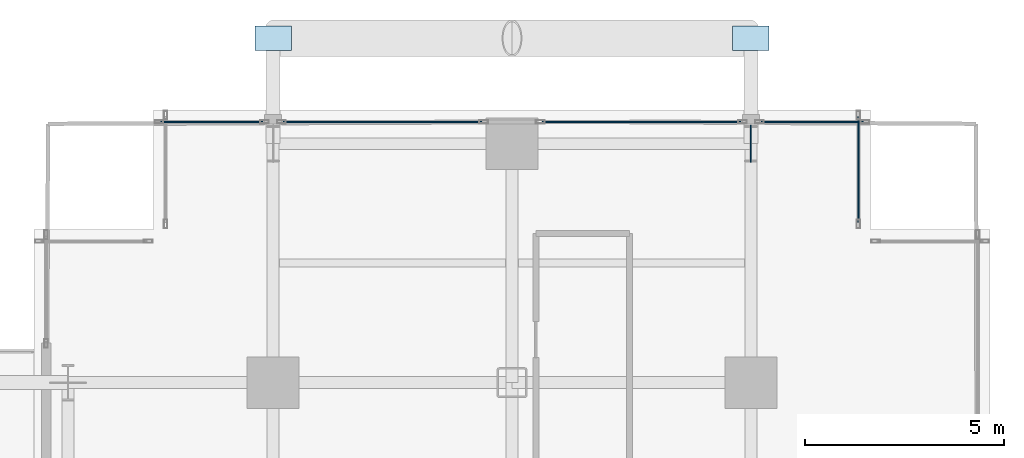
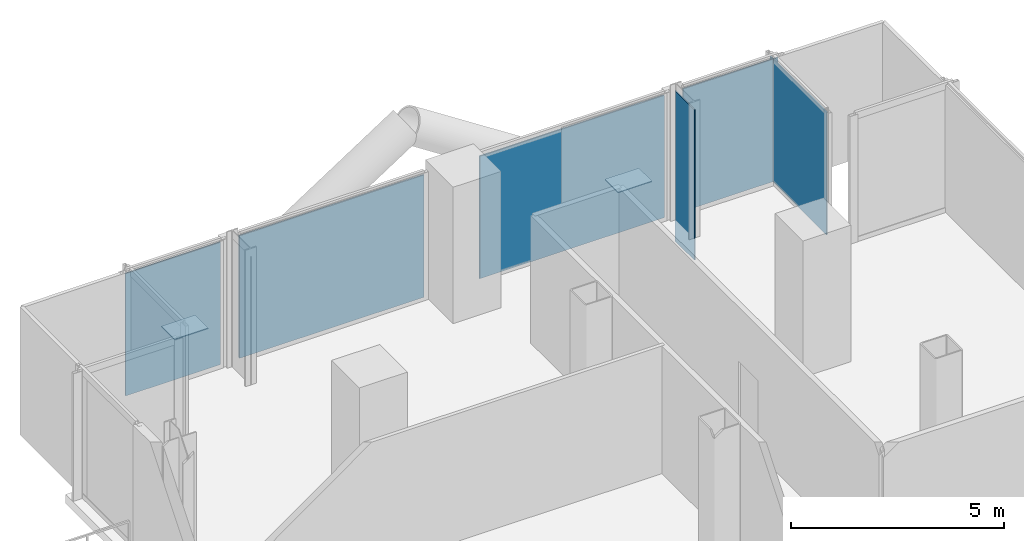
# One storey, part 18 of 27: 8 plates, 5 elements without a shape of their own.
"""IFC4 building model written with IfcOpenShell, lengths in metres."""

from ifc_helpers import new_model, si_unit, direction, frame, origin, origin_2d, place, context, subcontext, project, spatial, rectangle, extrude, material, layer, layer_set, type_object, element, aggregate, save


model = new_model("IFC4")

# Units and contexts
model_context = context("Model", 3, precision=1e-05, world=origin(), true_north=direction((0.0, 1.0)))
body_context = subcontext(model_context, "Body", "Model", "MODEL_VIEW")
ifc_project = project(units=[si_unit("LENGTHUNIT", "METRE"), si_unit("AREAUNIT", "SQUARE_METRE"), si_unit("VOLUMEUNIT", "CUBIC_METRE"), si_unit("PLANEANGLEUNIT", "RADIAN"), si_unit("MASSUNIT", "GRAM", prefix="KILO"), si_unit("THERMODYNAMICTEMPERATUREUNIT", "KELVIN"), si_unit("POWERUNIT", "WATT")], contexts=[model_context])

# Site, building, storey
site_placement = place(None, origin())
site = spatial("IfcSite", under=ifc_project, at=site_placement, CompositionType="ELEMENT")
building_placement = place(site_placement, origin())
building = spatial("IfcBuilding", under=site, at=building_placement, Name="Svarakhadi Broadcast Tower", CompositionType="ELEMENT")
storey_placement = place(building_placement, frame((0.0, 0.0, 40.199951171875)))
storey = spatial("IfcBuildingStorey", under=building, at=storey_placement, Name="L08", CompositionType="ELEMENT", Elevation=40.199951171875)

# Curtain wall, plate
ifc_material_1 = material(Name="Anodised Bronze Aluminium AA 6063-T6", Category="aluminium")
ifc_layer_1 = layer(ifc_material_1, 0.219970703125)
ifc_layer_set_1 = layer_set([ifc_layer_1], Name="Anodised Bronze Aluminium AA 6063-T6")
curtain_wall_type = type_object("IfcCurtainWallType", Name="CW_Sys_02", PredefinedType="NOTDEFINED", material=ifc_layer_set_1)
curtain_wall_1_placement = place(storey_placement, origin())
curtain_wall_1 = element("IfcCurtainWall", 1, at=curtain_wall_1_placement, inside=storey, type_object=curtain_wall_type, Name="L08 Unitised Facade Curtain Wall 06 Bay 1", PredefinedType="NOTDEFINED")
ifc_material_2 = material(Name="Double Low-E Laminated Acoustic Glass IGU 36 mm", Category="glass")
ifc_layer_2 = layer(ifc_material_2, 0.035888671875)
ifc_layer_set_2 = layer_set([ifc_layer_2], Name="Double Low-E Laminated Acoustic Glass IGU 36 mm")
plate_type_1 = type_object("IfcPlateType", Name="CW_Sys_02_Pnl", PredefinedType="CURTAIN_PANEL", material=ifc_layer_set_2)
plate_1_placement = place(storey_placement, frame((4.4599609375, 47.699951171875, 0.074951171875), z_axis=(0.0, 0.0, 1.0), x_axis=(1.0, 0.0, 0.0)))
plate_1 = element("IfcPlate", 2, at=plate_1_placement, type_object=plate_type_1, Name="CW-02 panel 1.1", PredefinedType="CURTAIN_PANEL", context=body_context, shape_type="SweptSolid", body=[
    extrude(rectangle(XDim=2.570068359375, YDim=0.035888671875, at=origin_2d()), origin(), (0.0, 0.0, 1.0), 3.5),
])
aggregate(curtain_wall_1, [plate_1])

curtain_wall_2_placement = place(storey_placement, origin())
curtain_wall_2 = element("IfcCurtainWall", 3, at=curtain_wall_2_placement, inside=storey, type_object=curtain_wall_type, Name="L08 Unitised Facade Curtain Wall 06 Bay 2", PredefinedType="NOTDEFINED")
plate_2_placement = place(storey_placement, frame((8.75, 47.699951171875, 0.074951171875), z_axis=(0.0, 0.0, 1.0), x_axis=(1.0, 0.0, 0.0)))
plate_2 = element("IfcPlate", 4, at=plate_2_placement, type_object=plate_type_1, Name="CW-02 panel 1.1", PredefinedType="CURTAIN_PANEL", context=body_context, shape_type="SweptSolid", body=[
    extrude(rectangle(XDim=4.989990234375, YDim=0.035888671875, at=origin_2d()), origin(), (0.0, 0.0, 1.0), 3.5),
])
aggregate(curtain_wall_2, [plate_2])

curtain_wall_3_placement = place(storey_placement, origin())
curtain_wall_3 = element("IfcCurtainWall", 5, at=curtain_wall_3_placement, inside=storey, type_object=curtain_wall_type, Name="L08 Unitised Facade Curtain Wall 06 Bay 3", PredefinedType="NOTDEFINED")
plate_3_placement = place(storey_placement, frame((15.25, 47.699951171875, 0.074951171875), z_axis=(0.0, 0.0, 1.0), x_axis=(1.0, 0.0, 0.0)))
plate_3 = element("IfcPlate", 6, at=plate_3_placement, type_object=plate_type_1, Name="CW-02 panel 1.1", PredefinedType="CURTAIN_PANEL", context=body_context, shape_type="SweptSolid", body=[
    extrude(rectangle(XDim=4.989990234375, YDim=0.035888671875, at=origin_2d()), origin(), (0.0, 0.0, 1.0), 3.5),
])
aggregate(curtain_wall_3, [plate_3])

curtain_wall_4_placement = place(storey_placement, origin())
curtain_wall_4 = element("IfcCurtainWall", 7, at=curtain_wall_4_placement, inside=storey, type_object=curtain_wall_type, Name="L08 Unitised Facade Curtain Wall 06 Bay 4", PredefinedType="NOTDEFINED")
plate_4_placement = place(storey_placement, frame((19.5400390625, 47.699951171875, 0.074951171875), z_axis=(0.0, 0.0, 1.0), x_axis=(1.0, 0.0, 0.0)))
plate_4 = element("IfcPlate", 8, at=plate_4_placement, type_object=plate_type_1, Name="CW-02 panel 1.1", PredefinedType="CURTAIN_PANEL", context=body_context, shape_type="SweptSolid", body=[
    extrude(rectangle(XDim=2.570068359375, YDim=0.035888671875, at=origin_2d()), origin(), (0.0, 0.0, 1.0), 3.5),
])
aggregate(curtain_wall_4, [plate_4])

curtain_wall_5_placement = place(storey_placement, origin())
curtain_wall_5 = element("IfcCurtainWall", 9, at=curtain_wall_5_placement, inside=storey, type_object=curtain_wall_type, Name="L08 Unitised Facade Curtain Wall 07", PredefinedType="NOTDEFINED")
plate_5_placement = place(storey_placement, frame((20.699951171875, 46.5, 0.074951171875), z_axis=(0.0, 0.0, 1.0), x_axis=(0.0, -1.0, 0.0)))
plate_5 = element("IfcPlate", 10, at=plate_5_placement, type_object=plate_type_1, Name="CW-02 panel 1.1", PredefinedType="CURTAIN_PANEL", context=body_context, shape_type="SweptSolid", body=[
    extrude(rectangle(XDim=2.64990234375, YDim=0.035888671875, at=origin_2d()), origin(), (0.0, 0.0, 1.0), 3.5),
])
aggregate(curtain_wall_5, [plate_5])

# Plates
ifc_material_3 = material(Name="Steel S460ML (IS 2062 E450BR)", Category="steel")
ifc_layer_3 = layer(ifc_material_3, 0.02587890625)
ifc_layer_set_3 = layer_set([ifc_layer_3], Name="Steel S460ML (IS 2062 E450BR)")
plate_type_2 = type_object("IfcPlateType", Name="Node_Gusset_N07", PredefinedType="SHEET", material=ifc_layer_set_3)
for number, where, z_axis, x_axis, name in (
    (11, (6.0, 49.800048828125, -0.25), (0.0, 0.0, 1.0), (1.0, 0.0, 0.0), "L08 Exoskeleton Gusset Node Plate N11"),
    (12, (18.0, 49.800048828125, -0.25), (0.0, 0.0, 1.0), (1.0, 0.0, 0.0), "L08 Exoskeleton Gusset Node Plate N12"),
):
    element("IfcPlate", number, at=place(storey_placement, frame(where, z_axis=z_axis, x_axis=x_axis)), inside=storey, type_object=plate_type_2, Name=name, PredefinedType="SHEET", context=body_context, shape_type="SweptSolid", body=[
        extrude(rectangle(XDim=0.919921875, YDim=0.6201171875, at=origin_2d()), origin(), (0.0, 0.0, 1.0), 0.02587890625),
    ])
plate_6_placement = place(storey_placement, frame((18.0, 47.14990234375, -0.6279296875), z_axis=(0.0, 0.0, 1.0), x_axis=(0.0, 1.0, 0.0)))
element("IfcPlate", 13, at=plate_6_placement, inside=storey, type_object=plate_type_2, Name="L08 Brace End Connection Gusset Plate N-07-E0045", PredefinedType="SHEET", context=body_context, shape_type="SweptSolid", body=[
    extrude(rectangle(XDim=0.919921875, YDim=0.02587890625, at=origin_2d()), origin(), (0.0, 0.0, 1.0), 4.300048828125),
])

save(model, "model.ifc")
